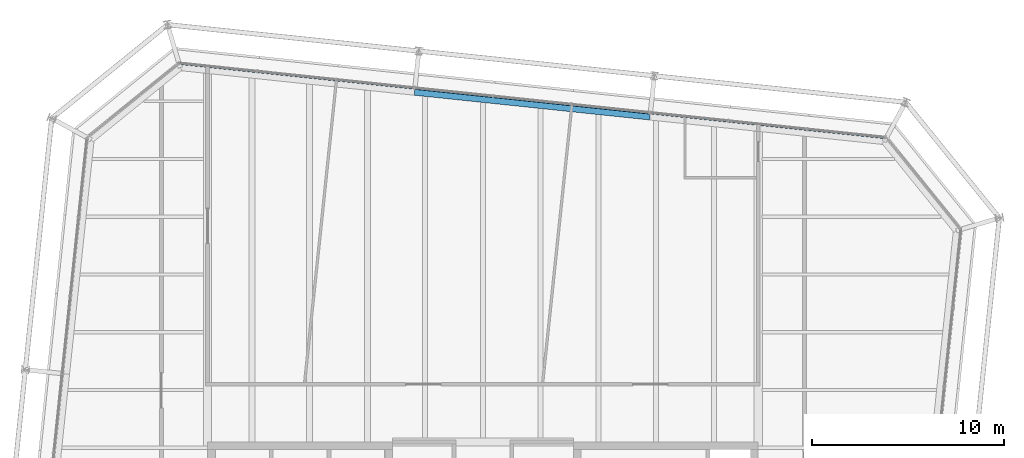
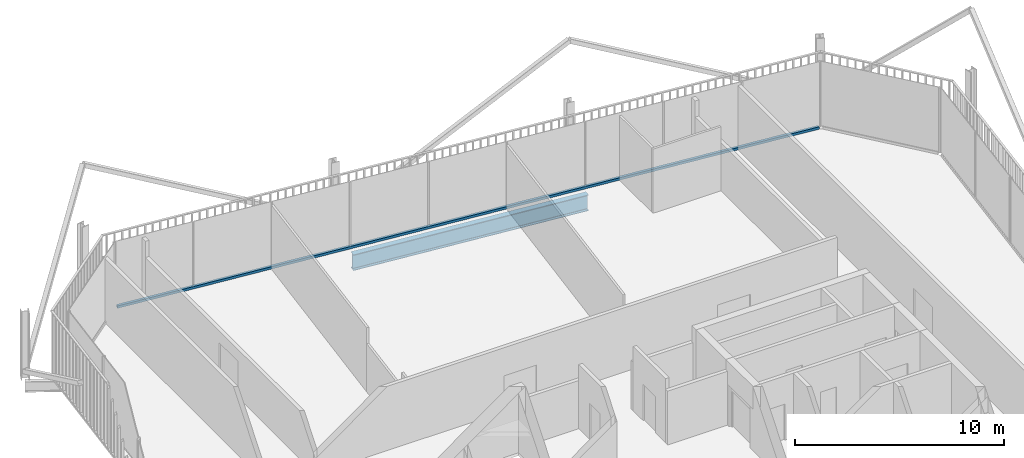
# One storey, part 13 of 21: 1 beam, 1 member, 1 element without a shape of its own.
"""IFC4 building model written with IfcOpenShell, lengths in metres."""

from ifc_helpers import new_model, si_unit, direction, frame, origin, origin_2d, place, context, subcontext, project, spatial, rectangle, i_section, extrude, material, layer, layer_set, material_profile, profile_set, type_object, element, aggregate, save


model = new_model("IFC4")

# Units and contexts
model_context = context("Model", 3, precision=1e-05, world=origin(), true_north=direction((0.0, 1.0)))
body_context = subcontext(model_context, "Body", "Model", "MODEL_VIEW")
ifc_project = project(units=[si_unit("LENGTHUNIT", "METRE"), si_unit("AREAUNIT", "SQUARE_METRE"), si_unit("VOLUMEUNIT", "CUBIC_METRE"), si_unit("PLANEANGLEUNIT", "RADIAN"), si_unit("MASSUNIT", "GRAM", prefix="KILO")], contexts=[model_context])

# Site, building, storey
site_placement = place(None, origin())
site = spatial("IfcSite", under=ifc_project, at=site_placement, CompositionType="ELEMENT")
building_placement = place(site_placement, origin())
building = spatial("IfcBuilding", under=site, at=building_placement, Name="Millrace Tower", CompositionType="ELEMENT")
storey_placement = place(building_placement, frame((0.0, 0.0, 299.39990234375)))
storey = spatial("IfcBuildingStorey", under=building, at=storey_placement, Name="L69", CompositionType="ELEMENT", Elevation=299.39990234375)

# Curtain wall, member
ifc_material_1 = material(Name="Aluminium and glass", Category="aluminium")
ifc_layer = layer(ifc_material_1, 0.14990234375)
ifc_layer_set = layer_set([ifc_layer], Name="Aluminium and glass")
curtain_wall_type = type_object("IfcCurtainWallType", Name="CW-1 office vision curtain wall", PredefinedType="NOTDEFINED", material=ifc_layer_set)
curtain_wall_placement = place(storey_placement, origin())
curtain_wall = element("IfcCurtainWall", 1, at=curtain_wall_placement, inside=storey, type_object=curtain_wall_type, Name="Curtain wall E-F06 L69", PredefinedType="NOTDEFINED")
ifc_material_2 = material(Name="Aluminium", Category="aluminium")
ifc_material_profile_1 = material_profile(ifc_material_2, rectangle(XDim=0.14990234375, YDim=0.139892578125, at=origin_2d()))
ifc_profile_set_1 = profile_set([ifc_material_profile_1], Name="Aluminium")
member_type = type_object("IfcMemberType", Name="CW-1 office vision curtain wall transom", PredefinedType="USERDEFINED", material=ifc_profile_set_1)
member_placement = place(storey_placement, frame((20.83544921875, 25.1318359375, 0.070068359375), z_axis=(-0.994521952886, 0.104527916025, 0.0), x_axis=(-0.104527916025, -0.994521952886, 0.0)))
member = element("IfcMember", 2, at=member_placement, type_object=member_type, Name="CW1 transom E-F06.1", ObjectType="TRANSOM", PredefinedType="USERDEFINED", context=body_context, shape_type="SweptSolid", body=[
    extrude(rectangle(XDim=0.14990234375, YDim=0.139892578125, at=origin_2d()), origin(), (0.0, 0.0, 1.0), 36.699951171875),
])
aggregate(curtain_wall, [member])

# Beam
ifc_material_3 = material(Name="Steel ASTM A992 Grade 50", Category="steel")
ifc_material_profile_2 = material_profile(ifc_material_3, i_section(OverallWidth=0.307373046875, OverallDepth=0.927001953125, WebThickness=0.01953125, FlangeThickness=0.031982421875, FilletRadius=0.01904296875, at=origin_2d()))
ifc_profile_set_2 = profile_set([ifc_material_profile_2], Name="Steel ASTM A992 Grade 50")
beam_type = type_object("IfcBeamType", Name="Ring beam medium span W36x194", PredefinedType="SPANDREL", material=ifc_profile_set_2)
beam_placement = place(storey_placement, frame((-3.554443359375, 27.46533203125, -0.62353515625), z_axis=(0.994522406476, -0.104523600289, 0.0), x_axis=(0.104523600289, 0.994522406476, 0.0)))
element("IfcBeam", 3, at=beam_placement, inside=storey, type_object=beam_type, Name="RNG-E-L69-S1-06", PredefinedType="SPANDREL", context=body_context, shape_type="SweptSolid", body=[
    extrude(i_section(OverallWidth=0.307373046875, OverallDepth=0.927001953125, WebThickness=0.01953125, FlangeThickness=0.031982421875, FilletRadius=0.01904296875, at=origin_2d()), origin(), (0.0, 0.0, 1.0), 12.300048828125),
])

save(model, "model.ifc")
